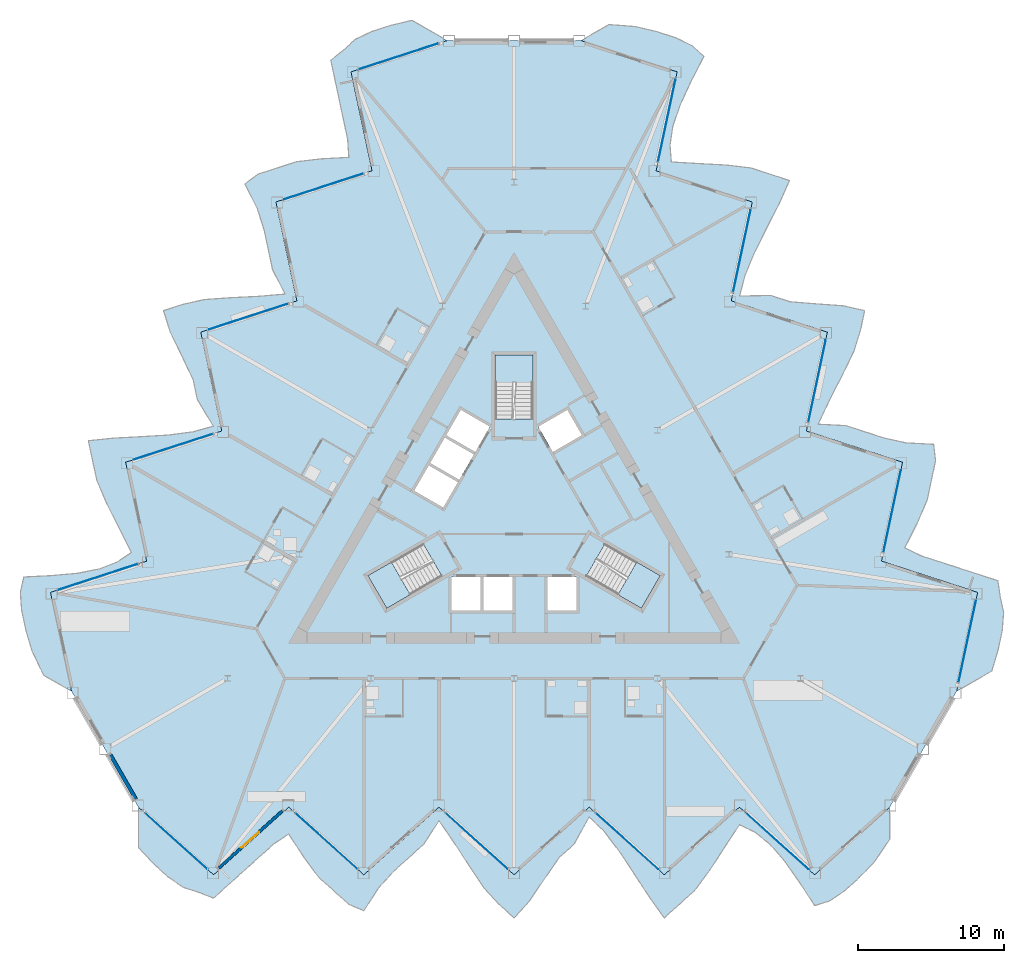
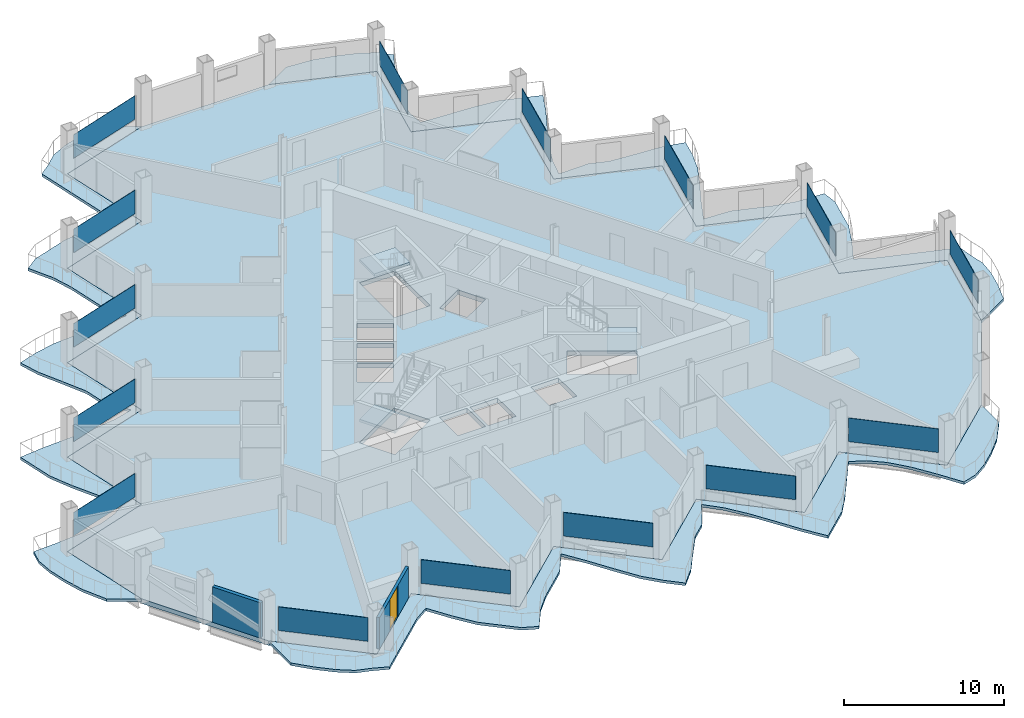
# One storey, part 10 of 23: 15 plates, 7 slabs, 2 walls, 1 door, 1 opening, 18 elements without a shape of their own.
"""IFC4 building model written with IfcOpenShell, lengths in metres."""

from ifc_helpers import new_model, si_unit, direction, frame, frame_2d, origin, origin_2d, place, context, subcontext, project, spatial, polyline, rectangle, outline, extrude, material, layer, layer_set, type_object, element, fill, aggregate, save


model = new_model("IFC4")

# Units and contexts
model_context = context("Model", 3, precision=1e-05, world=origin(), true_north=direction((0.0, 1.0)))
body_context = subcontext(model_context, "Body", "Model", "MODEL_VIEW")
ifc_project = project(units=[si_unit("LENGTHUNIT", "METRE"), si_unit("AREAUNIT", "SQUARE_METRE"), si_unit("VOLUMEUNIT", "CUBIC_METRE"), si_unit("PLANEANGLEUNIT", "RADIAN"), si_unit("MASSUNIT", "GRAM", prefix="KILO")], contexts=[model_context])

# Site, building, storey
site_placement = place(None, origin())
site = spatial("IfcSite", under=ifc_project, at=site_placement, CompositionType="ELEMENT")
building_placement = place(site_placement, origin())
building = spatial("IfcBuilding", under=site, at=building_placement, Name="Cormorant Prow Tower", CompositionType="ELEMENT")
storey_placement = place(building_placement, frame((0.0, 0.0, 208.800048828125)))
storey = spatial("IfcBuildingStorey", under=building, at=storey_placement, Name="L46", CompositionType="ELEMENT", Elevation=208.800048828125)

# Slabs
ifc_material_1 = material(Name="Concrete C40/50", Category="concrete")
ifc_layer_1 = layer(ifc_material_1, 0.199951171875)
ifc_layer_set_1 = layer_set([ifc_layer_1], Name="Concrete C40/50")
slab_type_1 = type_object("IfcSlabType", Name="Balcony slab 200", PredefinedType="FLOOR", material=ifc_layer_set_1)
slab_1_placement = place(storey_placement, frame((0.0, 0.0, -0.199951171875)))
element("IfcSlab", 1, at=slab_1_placement, inside=storey, type_object=slab_type_1, Name="Balcony slab S L46", PredefinedType="FLOOR", context=body_context, shape_type="SweptSolid", body=[
    extrude(outline(polyline([(-25.778076171875, -20.184814453125), (-25.778076171875, -22.96875), (-24.7470703125, -24.063232421875), (-23.7158203125, -24.99169921875), (-22.684814453125, -25.69580078125), (-21.653564453125, -26.018310546875), (-20.62255859375, -26.427001953125), (-19.59130859375, -25.49853515625), (-18.560302734375, -24.570068359375), (-17.529052734375, -23.641845703125), (-16.498046875, -22.71337890625), (-15.466796875, -22.023681640625), (-14.435791015625, -23.608154296875), (-13.404541015625, -24.99169921875), (-12.37353515625, -25.920166015625), (-11.34228515625, -26.8486328125), (-10.311279296875, -27.2890625), (-9.280029296875, -25.700439453125), (-8.2490234375, -24.570068359375), (-7.2177734375, -23.641845703125), (-6.186767578125, -22.71337890625), (-5.155517578125, -21.11865234375), (-4.12451171875, -22.59814453125), (-3.09326171875, -24.19775390625), (-2.062255859375, -25.723388671875), (-1.031005859375, -26.8486328125), (0.0, -27.777099609375), (1.031005859375, -26.656005859375), (2.062255859375, -25.1318359375), (3.09326171875, -23.641845703125), (4.12451171875, -22.71337890625), (5.155517578125, -20.848388671875), (6.186767578125, -21.86083984375), (7.2177734375, -23.207275390625), (8.2490234375, -24.766357421875), (9.280029296875, -26.35546875), (10.311279296875, -27.777099609375), (11.34228515625, -26.8486328125), (12.37353515625, -25.920166015625), (13.404541015625, -24.54150390625), (14.435791015625, -22.957763671875), (15.466796875, -21.39013671875), (16.498046875, -21.880615234375), (17.529052734375, -22.698974609375), (18.560302734375, -23.87744140625), (19.59130859375, -25.343505859375), (20.62255859375, -26.941162109375), (21.653564453125, -26.6201171875), (22.684814453125, -25.920166015625), (23.7158203125, -24.99169921875), (24.7470703125, -23.901123046875), (25.778076171875, -22.38818359375), (25.778076171875, -20.184814453125), (24.7470703125, -21.11328125), (23.7158203125, -22.041748046875), (22.684814453125, -22.97021484375), (21.653564453125, -23.898681640625), (20.62255859375, -24.8271484375), (19.59130859375, -23.898681640625), (18.560302734375, -22.97021484375), (17.529052734375, -22.041748046875), (16.498046875, -21.11328125), (15.466796875, -20.184814453125), (14.435791015625, -21.11328125), (13.404541015625, -22.041748046875), (12.37353515625, -22.97021484375), (11.34228515625, -23.898681640625), (10.311279296875, -24.8271484375), (9.280029296875, -23.898681640625), (8.2490234375, -22.97021484375), (7.2177734375, -22.041748046875), (6.186767578125, -21.11328125), (5.155517578125, -20.184814453125), (4.12451171875, -21.11328125), (3.09326171875, -22.041748046875), (2.062255859375, -22.97021484375), (1.031005859375, -23.898681640625), (0.0, -24.8271484375), (-1.031005859375, -23.898681640625), (-2.062255859375, -22.97021484375), (-3.09326171875, -22.041748046875), (-4.12451171875, -21.11328125), (-5.155517578125, -20.184814453125), (-6.186767578125, -21.11328125), (-7.2177734375, -22.041748046875), (-8.2490234375, -22.97021484375), (-9.280029296875, -23.898681640625), (-10.311279296875, -24.8271484375), (-11.34228515625, -23.898681640625), (-12.37353515625, -22.97021484375), (-13.404541015625, -22.041748046875), (-14.435791015625, -21.11328125), (-15.466796875, -20.184814453125), (-16.498046875, -21.11328125), (-17.529052734375, -22.041748046875), (-18.560302734375, -22.97021484375), (-19.59130859375, -23.898681640625), (-20.62255859375, -24.8271484375), (-21.653564453125, -23.898681640625), (-22.684814453125, -22.97021484375), (-23.7158203125, -22.041748046875), (-24.7470703125, -21.11328125), (-25.778076171875, -20.184814453125)])), origin(), (0.0, 0.0, 1.0), 0.199951171875),
])
slab_2_placement = place(storey_placement, frame((0.0, 0.0, -0.199951171875)))
element("IfcSlab", 2, at=slab_2_placement, inside=storey, type_object=slab_type_1, Name="Balcony slab ENE L46", PredefinedType="FLOOR", context=body_context, shape_type="SweptSolid", body=[
    extrude(outline(polyline([(30.36962890625, -12.232177734375), (32.780517578125, -10.840087890625), (33.212890625, -9.39990234375), (33.50146484375, -8.042724609375), (33.595703125, -6.797607421875), (33.359375, -5.743408203125), (33.19775390625, -4.64599609375), (31.878173828125, -4.21728515625), (30.55859375, -3.78857421875), (29.239013671875, -3.35986328125), (27.91943359375, -2.93115234375), (26.806396484375, -2.3828125), (27.6630859375, -0.69775390625), (28.345703125, 0.88720703125), (28.63427734375, 2.244384765625), (28.9228515625, 3.6015625), (28.78857421875, 4.714599609375), (26.897216796875, 4.8134765625), (25.40283203125, 5.141357421875), (24.083251953125, 5.570068359375), (22.763671875, 5.998779296875), (20.8671875, 6.094482421875), (21.6328125, 7.72705078125), (22.502685546875, 9.419921875), (23.30810546875, 11.07568359375), (23.76708984375, 12.53125), (24.0556640625, 13.888427734375), (22.569091796875, 14.220947265625), (20.733642578125, 14.351806640625), (18.927734375, 14.499755859375), (17.608154296875, 14.9287109375), (15.4775390625, 14.88916015625), (15.8388671875, 16.288330078125), (16.489013671875, 17.8544921875), (17.32373046875, 19.527099609375), (18.184326171875, 21.214599609375), (18.89990234375, 22.818359375), (17.580322265625, 23.2470703125), (16.2607421875, 23.67578125), (14.55126953125, 23.879638671875), (12.6640625, 23.980712890625), (10.791015625, 24.08984375), (10.7001953125, 25.22802734375), (10.893310546875, 26.5302734375), (11.3984375, 28.012451171875), (12.15234375, 29.638427734375), (13.0205078125, 31.330322265625), (12.226806640625, 32.062744140625), (11.105224609375, 32.605712890625), (9.78564453125, 33.034423828125), (8.325439453125, 33.382080078125), (6.499755859375, 33.5185546875), (4.591552734375, 32.4169921875), (5.9111328125, 31.98828125), (7.230712890625, 31.5595703125), (8.55029296875, 31.130615234375), (9.869873046875, 30.701904296875), (11.189697265625, 30.273193359375), (10.901123046875, 28.916015625), (10.612548828125, 27.558837890625), (10.32421875, 26.20166015625), (10.03564453125, 24.844482421875), (9.7470703125, 23.487060546875), (11.06689453125, 23.058349609375), (12.386474609375, 22.629638671875), (13.7060546875, 22.200927734375), (15.025634765625, 21.772216796875), (16.34521484375, 21.34326171875), (16.056640625, 19.986083984375), (15.768310546875, 18.62890625), (15.479736328125, 17.271728515625), (15.19140625, 15.91455078125), (14.90283203125, 14.557373046875), (16.222412109375, 14.128662109375), (17.5419921875, 13.69970703125), (18.861572265625, 13.27099609375), (20.18115234375, 12.84228515625), (21.5009765625, 12.41357421875), (21.21240234375, 11.056396484375), (20.923828125, 9.69921875), (20.635498046875, 8.342041015625), (20.346923828125, 6.984619140625), (20.058349609375, 5.62744140625), (21.378173828125, 5.19873046875), (22.69775390625, 4.77001953125), (24.017333984375, 4.34130859375), (25.3369140625, 3.912353515625), (26.656494140625, 3.483642578125), (26.367919921875, 2.12646484375), (26.07958984375, 0.769287109375), (25.791015625, -0.587890625), (25.502685546875, -1.945068359375), (25.214111328125, -3.30224609375), (26.53369140625, -3.73095703125), (27.853271484375, -4.159912109375), (29.1728515625, -4.588623046875), (30.492431640625, -5.017333984375), (31.81201171875, -5.446044921875), (31.523681640625, -6.80322265625), (31.235107421875, -8.160400390625), (30.94677734375, -9.517822265625), (30.658203125, -10.875), (30.36962890625, -12.232177734375)])), origin(), (0.0, 0.0, 1.0), 0.199951171875),
])
slab_3_placement = place(storey_placement, frame((0.0, 0.0, -0.199951171875)))
element("IfcSlab", 3, at=slab_3_placement, inside=storey, type_object=slab_type_1, Name="Balcony slab WNW L46", PredefinedType="FLOOR", context=body_context, shape_type="SweptSolid", body=[
    extrude(outline(polyline([(-4.591552734375, 32.4169921875), (-7.00244140625, 33.808837890625), (-8.4658203125, 33.463134765625), (-9.78564453125, 33.034423828125), (-10.910888671875, 32.49365234375), (-11.705810546875, 31.76171875), (-12.5751953125, 31.0732421875), (-12.286865234375, 29.716064453125), (-11.998291015625, 28.35888671875), (-11.709716796875, 27.00146484375), (-11.42138671875, 25.644287109375), (-11.339599609375, 24.406494140625), (-13.227294921875, 24.3056640625), (-14.941162109375, 24.104736328125), (-16.2607421875, 23.67578125), (-17.580322265625, 23.2470703125), (-18.477294921875, 22.57421875), (-17.6171875, 20.886962890625), (-17.15380859375, 19.428955078125), (-16.865478515625, 18.07177734375), (-16.576904296875, 16.714599609375), (-15.711669921875, 15.024169921875), (-17.50830078125, 14.87109375), (-19.4091796875, 14.77783203125), (-21.245849609375, 14.647705078125), (-22.736083984375, 14.3173828125), (-24.0556640625, 13.888427734375), (-23.600341796875, 12.43505859375), (-22.7958984375, 10.780029296875), (-22.02099609375, 9.141845703125), (-21.732666015625, 7.78466796875), (-20.633056640625, 5.959228515625), (-22.025634765625, 5.572509765625), (-23.70703125, 5.352783203125), (-25.57275390625, 5.2392578125), (-27.464599609375, 5.140869140625), (-29.211181640625, 4.958740234375), (-28.9228515625, 3.6015625), (-28.63427734375, 2.244384765625), (-27.955810546875, 0.662109375), (-27.099853515625, -1.02294921875), (-26.2578125, -2.69970703125), (-27.1982421875, -3.347412109375), (-28.422607421875, -3.8310546875), (-29.958740234375, -4.135009765625), (-31.74365234375, -4.294921875), (-33.64306640625, -4.38916015625), (-33.88037109375, -5.442626953125), (-33.7900390625, -6.685546875), (-33.50146484375, -8.042724609375), (-33.072509765625, -9.48095703125), (-32.27783203125, -11.13037109375), (-30.36962890625, -12.232177734375), (-30.658203125, -10.875), (-30.94677734375, -9.517822265625), (-31.235107421875, -8.160400390625), (-31.523681640625, -6.80322265625), (-31.81201171875, -5.446044921875), (-30.492431640625, -5.017333984375), (-29.1728515625, -4.588623046875), (-27.853271484375, -4.159912109375), (-26.53369140625, -3.73095703125), (-25.214111328125, -3.30224609375), (-25.502685546875, -1.945068359375), (-25.791015625, -0.587890625), (-26.07958984375, 0.769287109375), (-26.367919921875, 2.12646484375), (-26.656494140625, 3.483642578125), (-25.3369140625, 3.912353515625), (-24.017333984375, 4.34130859375), (-22.69775390625, 4.77001953125), (-21.378173828125, 5.19873046875), (-20.058349609375, 5.62744140625), (-20.346923828125, 6.984619140625), (-20.635498046875, 8.342041015625), (-20.923828125, 9.69921875), (-21.21240234375, 11.056396484375), (-21.5009765625, 12.41357421875), (-20.18115234375, 12.84228515625), (-18.861572265625, 13.27099609375), (-17.5419921875, 13.69970703125), (-16.222412109375, 14.128662109375), (-14.90283203125, 14.557373046875), (-15.19140625, 15.91455078125), (-15.479736328125, 17.271728515625), (-15.768310546875, 18.62890625), (-16.056640625, 19.986083984375), (-16.34521484375, 21.34326171875), (-15.025634765625, 21.772216796875), (-13.7060546875, 22.200927734375), (-12.386474609375, 22.629638671875), (-11.06689453125, 23.058349609375), (-9.7470703125, 23.487060546875), (-10.03564453125, 24.844482421875), (-10.32421875, 26.20166015625), (-10.612548828125, 27.558837890625), (-10.901123046875, 28.916015625), (-11.189697265625, 30.273193359375), (-9.869873046875, 30.701904296875), (-8.55029296875, 31.130615234375), (-7.230712890625, 31.5595703125), (-5.9111328125, 31.98828125), (-4.591552734375, 32.4169921875)])), origin(), (0.0, 0.0, 1.0), 0.199951171875),
])

# Curtain wall, plate
ifc_material_2 = material(Name="Aluminium 6063-T6", Category="aluminium")
ifc_layer_2 = layer(ifc_material_2, 0.179931640625)
ifc_layer_set_2 = layer_set([ifc_layer_2], Name="Aluminium 6063-T6")
curtain_wall_type = type_object("IfcCurtainWallType", Name="Hotel unitised curtain wall 180", PredefinedType="NOTDEFINED", material=ifc_layer_set_2)
curtain_wall_1_placement = place(storey_placement, origin())
curtain_wall_1 = element("IfcCurtainWall", 4, at=curtain_wall_1_placement, inside=storey, type_object=curtain_wall_type, Name="Hotel curtain wall S00", PredefinedType="NOTDEFINED")
ifc_material_3 = material(Name="Clear glass", Category="glass")
ifc_layer_3 = layer(ifc_material_3, 0.028076171875)
ifc_layer_set_3 = layer_set([ifc_layer_3], Name="Clear glass")
plate_type = type_object("IfcPlateType", Name="Hotel glass panel 28", PredefinedType="CURTAIN_PANEL", material=ifc_layer_set_3)
plate_1_placement = place(storey_placement, frame((-23.177978515625, -22.526123046875, 0.89990234375), z_axis=(0.0, 0.0, 1.0), x_axis=(0.743144739757, -0.669130701561, 0.0)))
plate_1 = element("IfcPlate", 5, at=plate_1_placement, type_object=plate_type, Name="Hotel glass panel S00", PredefinedType="CURTAIN_PANEL", context=body_context, shape_type="SweptSolid", body=[
    extrude(rectangle(XDim=5.74169921875, YDim=0.028076171875, at=origin_2d()), origin(), (0.0, 0.0, 1.0), 1.80078125),
])
aggregate(curtain_wall_1, [plate_1])

curtain_wall_2_placement = place(storey_placement, origin())
curtain_wall_2 = element("IfcCurtainWall", 6, at=curtain_wall_2_placement, inside=storey, type_object=curtain_wall_type, Name="Hotel curtain wall S02", PredefinedType="NOTDEFINED")
plate_2_placement = place(storey_placement, frame((-12.86669921875, -22.526123046875, 0.89990234375), z_axis=(0.0, 0.0, 1.0), x_axis=(0.743144804304, -0.669130629874, 0.0)))
plate_2 = element("IfcPlate", 7, at=plate_2_placement, type_object=plate_type, Name="Hotel glass panel S02", PredefinedType="CURTAIN_PANEL", context=body_context, shape_type="SweptSolid", body=[
    extrude(rectangle(XDim=5.74169921875, YDim=0.028076171875, at=origin_2d()), origin(), (0.0, 0.0, 1.0), 1.80078125),
])
aggregate(curtain_wall_2, [plate_2])

curtain_wall_3_placement = place(storey_placement, origin())
curtain_wall_3 = element("IfcCurtainWall", 8, at=curtain_wall_3_placement, inside=storey, type_object=curtain_wall_type, Name="Hotel curtain wall S04", PredefinedType="NOTDEFINED")
plate_3_placement = place(storey_placement, frame((-2.555419921875, -22.526123046875, 0.89990234375), z_axis=(0.0, 0.0, 1.0), x_axis=(0.743144804304, -0.669130629874, 0.0)))
plate_3 = element("IfcPlate", 9, at=plate_3_placement, type_object=plate_type, Name="Hotel glass panel S04", PredefinedType="CURTAIN_PANEL", context=body_context, shape_type="SweptSolid", body=[
    extrude(rectangle(XDim=5.74169921875, YDim=0.028076171875, at=origin_2d()), origin(), (0.0, 0.0, 1.0), 1.80078125),
])
aggregate(curtain_wall_3, [plate_3])

curtain_wall_4_placement = place(storey_placement, origin())
curtain_wall_4 = element("IfcCurtainWall", 10, at=curtain_wall_4_placement, inside=storey, type_object=curtain_wall_type, Name="Hotel curtain wall S06", PredefinedType="NOTDEFINED")
plate_4_placement = place(storey_placement, frame((7.755859375, -22.526123046875, 0.89990234375), z_axis=(0.0, 0.0, 1.0), x_axis=(0.743144739757, -0.669130701561, 0.0)))
plate_4 = element("IfcPlate", 11, at=plate_4_placement, type_object=plate_type, Name="Hotel glass panel S06", PredefinedType="CURTAIN_PANEL", context=body_context, shape_type="SweptSolid", body=[
    extrude(rectangle(XDim=5.74169921875, YDim=0.028076171875, at=origin_2d()), origin(), (0.0, 0.0, 1.0), 1.80078125),
])
aggregate(curtain_wall_4, [plate_4])

curtain_wall_5_placement = place(storey_placement, origin())
curtain_wall_5 = element("IfcCurtainWall", 12, at=curtain_wall_5_placement, inside=storey, type_object=curtain_wall_type, Name="Hotel curtain wall S08", PredefinedType="NOTDEFINED")
plate_5_placement = place(storey_placement, frame((18.06689453125, -22.526123046875, 0.89990234375), z_axis=(0.0, 0.0, 1.0), x_axis=(0.743144804304, -0.669130629874, 0.0)))
plate_5 = element("IfcPlate", 13, at=plate_5_placement, type_object=plate_type, Name="Hotel glass panel S08", PredefinedType="CURTAIN_PANEL", context=body_context, shape_type="SweptSolid", body=[
    extrude(rectangle(XDim=5.74169921875, YDim=0.028076171875, at=origin_2d()), origin(), (0.0, 0.0, 1.0), 1.80078125),
])
aggregate(curtain_wall_5, [plate_5])

curtain_wall_6_placement = place(storey_placement, origin())
curtain_wall_6 = element("IfcCurtainWall", 14, at=curtain_wall_6_placement, inside=storey, type_object=curtain_wall_type, Name="Hotel curtain wall ENE00", PredefinedType="NOTDEFINED")
plate_6_placement = place(storey_placement, frame((31.09716796875, -8.809814453125, 0.89990234375), z_axis=(0.0, 0.0, 1.0), x_axis=(0.20791171127, 0.978147596387, 0.0)))
plate_6 = element("IfcPlate", 15, at=plate_6_placement, type_object=plate_type, Name="Hotel glass panel ENE00", PredefinedType="CURTAIN_PANEL", context=body_context, shape_type="SweptSolid", body=[
    extrude(rectangle(XDim=5.74169921875, YDim=0.028076171875, at=origin_2d()), origin(), (0.0, 0.0, 1.0), 1.80078125),
])
aggregate(curtain_wall_6, [plate_6])

curtain_wall_7_placement = place(storey_placement, origin())
curtain_wall_7 = element("IfcCurtainWall", 16, at=curtain_wall_7_placement, inside=storey, type_object=curtain_wall_type, Name="Hotel curtain wall ENE02", PredefinedType="NOTDEFINED")
plate_7_placement = place(storey_placement, frame((25.94140625, 0.1201171875, 0.89990234375), z_axis=(0.0, 0.0, 1.0), x_axis=(0.207911681957, 0.978147602617, 0.0)))
plate_7 = element("IfcPlate", 17, at=plate_7_placement, type_object=plate_type, Name="Hotel glass panel ENE02", PredefinedType="CURTAIN_PANEL", context=body_context, shape_type="SweptSolid", body=[
    extrude(rectangle(XDim=5.74169921875, YDim=0.028076171875, at=origin_2d()), origin(), (0.0, 0.0, 1.0), 1.80078125),
])
aggregate(curtain_wall_7, [plate_7])

curtain_wall_8_placement = place(storey_placement, origin())
curtain_wall_8 = element("IfcCurtainWall", 18, at=curtain_wall_8_placement, inside=storey, type_object=curtain_wall_type, Name="Hotel curtain wall ENE04", PredefinedType="NOTDEFINED")
plate_8_placement = place(storey_placement, frame((20.785888671875, 9.0498046875, 0.89990234375), z_axis=(0.0, 0.0, 1.0), x_axis=(0.20791171127, 0.978147596387, 0.0)))
plate_8 = element("IfcPlate", 19, at=plate_8_placement, type_object=plate_type, Name="Hotel glass panel ENE04", PredefinedType="CURTAIN_PANEL", context=body_context, shape_type="SweptSolid", body=[
    extrude(rectangle(XDim=5.74169921875, YDim=0.028076171875, at=origin_2d()), origin(), (0.0, 0.0, 1.0), 1.80078125),
])
aggregate(curtain_wall_8, [plate_8])

curtain_wall_9_placement = place(storey_placement, origin())
curtain_wall_9 = element("IfcCurtainWall", 20, at=curtain_wall_9_placement, inside=storey, type_object=curtain_wall_type, Name="Hotel curtain wall ENE06", PredefinedType="NOTDEFINED")
plate_9_placement = place(storey_placement, frame((15.63037109375, 17.979736328125, 0.89990234375), z_axis=(0.0, 0.0, 1.0), x_axis=(0.207911681957, 0.978147602617, 0.0)))
plate_9 = element("IfcPlate", 21, at=plate_9_placement, type_object=plate_type, Name="Hotel glass panel ENE06", PredefinedType="CURTAIN_PANEL", context=body_context, shape_type="SweptSolid", body=[
    extrude(rectangle(XDim=5.74169921875, YDim=0.028076171875, at=origin_2d()), origin(), (0.0, 0.0, 1.0), 1.80078125),
])
aggregate(curtain_wall_9, [plate_9])

curtain_wall_10_placement = place(storey_placement, origin())
curtain_wall_10 = element("IfcCurtainWall", 22, at=curtain_wall_10_placement, inside=storey, type_object=curtain_wall_type, Name="Hotel curtain wall ENE08", PredefinedType="NOTDEFINED")
plate_10_placement = place(storey_placement, frame((10.474609375, 26.909423828125, 0.89990234375), z_axis=(0.0, 0.0, 1.0), x_axis=(0.20791171127, 0.978147596387, 0.0)))
plate_10 = element("IfcPlate", 23, at=plate_10_placement, type_object=plate_type, Name="Hotel glass panel ENE08", PredefinedType="CURTAIN_PANEL", context=body_context, shape_type="SweptSolid", body=[
    extrude(rectangle(XDim=5.74169921875, YDim=0.028076171875, at=origin_2d()), origin(), (0.0, 0.0, 1.0), 1.80078125),
])
aggregate(curtain_wall_10, [plate_10])

curtain_wall_11_placement = place(storey_placement, origin())
curtain_wall_11 = element("IfcCurtainWall", 24, at=curtain_wall_11_placement, inside=storey, type_object=curtain_wall_type, Name="Hotel curtain wall WNW00", PredefinedType="NOTDEFINED")
plate_11_placement = place(storey_placement, frame((-7.919189453125, 31.335693359375, 0.89990234375), z_axis=(0.0, 0.0, 1.0), x_axis=(-0.951056508993, -0.30901701685, 0.0)))
plate_11 = element("IfcPlate", 25, at=plate_11_placement, type_object=plate_type, Name="Hotel glass panel WNW00", PredefinedType="CURTAIN_PANEL", context=body_context, shape_type="SweptSolid", body=[
    extrude(rectangle(XDim=5.74169921875, YDim=0.028076171875, at=origin_2d()), origin(), (0.0, 0.0, 1.0), 1.80078125),
])
aggregate(curtain_wall_11, [plate_11])

curtain_wall_12_placement = place(storey_placement, origin())
curtain_wall_12 = element("IfcCurtainWall", 26, at=curtain_wall_12_placement, inside=storey, type_object=curtain_wall_type, Name="Hotel curtain wall WNW02", PredefinedType="NOTDEFINED")
plate_12_placement = place(storey_placement, frame((-13.07470703125, 22.406005859375, 0.89990234375), z_axis=(0.0, 0.0, 1.0), x_axis=(-0.951056522756, -0.309016974489, 0.0)))
plate_12 = element("IfcPlate", 27, at=plate_12_placement, type_object=plate_type, Name="Hotel glass panel WNW02", PredefinedType="CURTAIN_PANEL", context=body_context, shape_type="SweptSolid", body=[
    extrude(rectangle(XDim=5.74169921875, YDim=0.028076171875, at=origin_2d()), origin(), (0.0, 0.0, 1.0), 1.80078125),
])
aggregate(curtain_wall_12, [plate_12])

curtain_wall_13_placement = place(storey_placement, origin())
curtain_wall_13 = element("IfcCurtainWall", 28, at=curtain_wall_13_placement, inside=storey, type_object=curtain_wall_type, Name="Hotel curtain wall WNW04", PredefinedType="NOTDEFINED")
plate_13_placement = place(storey_placement, frame((-18.23046875, 13.47607421875, 0.89990234375), z_axis=(0.0, 0.0, 1.0), x_axis=(-0.951056522756, -0.309016974489, 0.0)))
plate_13 = element("IfcPlate", 29, at=plate_13_placement, type_object=plate_type, Name="Hotel glass panel WNW04", PredefinedType="CURTAIN_PANEL", context=body_context, shape_type="SweptSolid", body=[
    extrude(rectangle(XDim=5.74169921875, YDim=0.028076171875, at=origin_2d()), origin(), (0.0, 0.0, 1.0), 1.80078125),
])
aggregate(curtain_wall_13, [plate_13])

curtain_wall_14_placement = place(storey_placement, origin())
curtain_wall_14 = element("IfcCurtainWall", 30, at=curtain_wall_14_placement, inside=storey, type_object=curtain_wall_type, Name="Hotel curtain wall WNW06", PredefinedType="NOTDEFINED")
plate_14_placement = place(storey_placement, frame((-23.385986328125, 4.54638671875, 0.89990234375), z_axis=(0.0, 0.0, 1.0), x_axis=(-0.951056508993, -0.30901701685, 0.0)))
plate_14 = element("IfcPlate", 31, at=plate_14_placement, type_object=plate_type, Name="Hotel glass panel WNW06", PredefinedType="CURTAIN_PANEL", context=body_context, shape_type="SweptSolid", body=[
    extrude(rectangle(XDim=5.74169921875, YDim=0.028076171875, at=origin_2d()), origin(), (0.0, 0.0, 1.0), 1.80078125),
])
aggregate(curtain_wall_14, [plate_14])

curtain_wall_15_placement = place(storey_placement, origin())
curtain_wall_15 = element("IfcCurtainWall", 32, at=curtain_wall_15_placement, inside=storey, type_object=curtain_wall_type, Name="Hotel curtain wall WNW08", PredefinedType="NOTDEFINED")
plate_15_placement = place(storey_placement, frame((-28.541748046875, -4.383544921875, 0.89990234375), z_axis=(0.0, 0.0, 1.0), x_axis=(-0.951056522756, -0.309016974489, 0.0)))
plate_15 = element("IfcPlate", 33, at=plate_15_placement, type_object=plate_type, Name="Hotel glass panel WNW08", PredefinedType="CURTAIN_PANEL", context=body_context, shape_type="SweptSolid", body=[
    extrude(rectangle(XDim=5.74169921875, YDim=0.028076171875, at=origin_2d()), origin(), (0.0, 0.0, 1.0), 1.80078125),
])
aggregate(curtain_wall_15, [plate_15])

# Slab
ifc_material_4 = material(Name="Concrete C40/50", Category="concrete")
ifc_layer_4 = layer(ifc_material_4, 0.35009765625)
ifc_layer_set_4 = layer_set([ifc_layer_4], Name="Concrete C40/50")
slab_type_2 = type_object("IfcSlabType", Name="Post-tensioned flat slab 350", PredefinedType="FLOOR", material=ifc_layer_set_4)
slab_4_placement = place(storey_placement, frame((0.0, 0.0, -0.35009765625)))
element("IfcSlab", 34, at=slab_4_placement, inside=storey, type_object=slab_type_2, Name="Floor slab L46", PredefinedType="FLOOR", context=body_context, shape_type="SweptSolid", body=[
    extrude(outline(polyline([(-9.7470703125, 23.487060546875), (-16.34521484375, 21.34326171875), (-14.90283203125, 14.557373046875), (-21.5009765625, 12.41357421875), (-20.058349609375, 5.62744140625), (-26.656494140625, 3.483642578125), (-25.214111328125, -3.30224609375), (-31.81201171875, -5.446044921875), (-30.36962890625, -12.232177734375), (-28.073974609375, -16.20849609375), (-25.778076171875, -20.184814453125), (-20.62255859375, -24.8271484375), (-15.466796875, -20.184814453125), (-10.311279296875, -24.8271484375), (-5.155517578125, -20.184814453125), (0.0, -24.8271484375), (5.155517578125, -20.184814453125), (10.311279296875, -24.8271484375), (15.466796875, -20.184814453125), (20.62255859375, -24.8271484375), (25.778076171875, -20.184814453125), (28.073974609375, -16.20849609375), (30.36962890625, -12.232177734375), (31.81201171875, -5.446044921875), (25.214111328125, -3.30224609375), (26.656494140625, 3.483642578125), (20.058349609375, 5.62744140625), (21.5009765625, 12.41357421875), (14.90283203125, 14.557373046875), (16.34521484375, 21.34326171875), (9.7470703125, 23.487060546875), (11.189697265625, 30.273193359375), (4.591552734375, 32.4169921875), (0.0, 32.4169921875), (-4.591552734375, 32.4169921875), (-11.189697265625, 30.273193359375), (-9.7470703125, 23.487060546875)]), holes=[polyline([(-4.300048828125, -4.39990234375), (-2.300048828125, -4.39990234375), (-2.300048828125, -6.699951171875), (-4.300048828125, -6.699951171875), (-4.300048828125, -4.39990234375)]), polyline([(-0.10009765625, -4.39990234375), (-0.10009765625, -6.699951171875), (-2.10009765625, -6.699951171875), (-2.10009765625, -4.39990234375), (-0.10009765625, -4.39990234375)]), polyline([(4.300048828125, -6.699951171875), (2.300048828125, -6.699951171875), (2.300048828125, -4.39990234375), (4.300048828125, -4.39990234375), (4.300048828125, -6.699951171875)]), polyline([(4.65234375, 5.341796875), (2.660400390625, 4.19189453125), (1.660400390625, 5.923828125), (3.65234375, 7.073974609375), (4.65234375, 5.341796875)]), polyline([(-1.660400390625, 5.923828125), (-2.660400390625, 4.19189453125), (-4.65234375, 5.341796875), (-3.65234375, 7.073974609375), (-1.660400390625, 5.923828125)]), polyline([(-3.760498046875, 2.28662109375), (-5.75244140625, 3.4365234375), (-4.75244140625, 5.168701171875), (-2.760498046875, 4.018798828125), (-3.760498046875, 2.28662109375)]), polyline([(-6.852294921875, 1.53125), (-5.852294921875, 3.263427734375), (-3.860595703125, 2.11328125), (-4.860595703125, 0.38134765625), (-6.852294921875, 1.53125)]), polyline([(-4.947509765625, -4.3505859375), (-8.738037109375, -6.5390625), (-10.031982421875, -4.2978515625), (-6.241455078125, -2.109375), (-4.947509765625, -4.3505859375)]), polyline([(10.031982421875, -4.2978515625), (8.738037109375, -6.5390625), (4.947509765625, -4.3505859375), (6.241455078125, -2.109375), (10.031982421875, -4.2978515625)]), polyline([(1.2939453125, 10.8369140625), (1.2939453125, 6.459716796875), (-1.2939453125, 6.459716796875), (-1.2939453125, 10.8369140625), (1.2939453125, 10.8369140625)])]), origin(), (0.0, 0.0, 1.0), 0.35009765625),
])

# Stair, slab
ifc_material_5 = material(Name="Exit stair 20 risers")
stair_type = type_object("IfcStairType", Name="Exit stair 20 risers", PredefinedType="HALF_TURN_STAIR", material=ifc_material_5)
stair_1_placement = place(storey_placement, origin())
stair_1 = element("IfcStair", 35, at=stair_1_placement, inside=storey, type_object=stair_type, Name="L46 Exit stair ST1", PredefinedType="HALF_TURN_STAIR")
ifc_material_6 = material(Name="Concrete 5000 psi", Category="concrete")
ifc_layer_5 = layer(ifc_material_6, 0.199951171875)
ifc_layer_set_5 = layer_set([ifc_layer_5], Name="Concrete 5000 psi")
slab_type_3 = type_object("IfcSlabType", Name="Stair landing 200", PredefinedType="LANDING", material=ifc_layer_set_5)
slab_5_placement = place(storey_placement, frame((0.0, 0.0, 1.599853515625)))
slab_5 = element("IfcSlab", 36, at=slab_5_placement, type_object=slab_type_3, Name="ST1 landing 1", PredefinedType="LANDING", context=body_context, shape_type="SweptSolid", body=[
    extrude(outline(polyline([(-8.416748046875, -3.365234375), (-10.031982421875, -4.2978515625), (-8.738037109375, -6.5390625), (-7.122802734375, -5.6064453125), (-8.416748046875, -3.365234375)])), origin(), (0.0, 0.0, 1.0), 0.2001953125),
])
aggregate(stair_1, [slab_5])

stair_2_placement = place(storey_placement, origin())
stair_2 = element("IfcStair", 37, at=stair_2_placement, inside=storey, type_object=stair_type, Name="L46 Exit stair ST2", PredefinedType="HALF_TURN_STAIR")
slab_6_placement = place(storey_placement, frame((0.0, 0.0, 1.599853515625)))
slab_6 = element("IfcSlab", 38, at=slab_6_placement, type_object=slab_type_3, Name="ST2 landing 1", PredefinedType="LANDING", context=body_context, shape_type="SweptSolid", body=[
    extrude(outline(polyline([(7.122802734375, -5.6064453125), (8.738037109375, -6.5390625), (10.031982421875, -4.2978515625), (8.416748046875, -3.365234375), (7.122802734375, -5.6064453125)])), origin(), (0.0, 0.0, 1.0), 0.2001953125),
])
aggregate(stair_2, [slab_6])

stair_3_placement = place(storey_placement, origin())
stair_3 = element("IfcStair", 39, at=stair_3_placement, inside=storey, type_object=stair_type, Name="L46 Exit stair ST3", PredefinedType="HALF_TURN_STAIR")
slab_7_placement = place(storey_placement, frame((0.0, 0.0, 1.599853515625)))
slab_7 = element("IfcSlab", 40, at=slab_7_placement, type_object=slab_type_3, Name="ST3 landing 1", PredefinedType="LANDING", context=body_context, shape_type="SweptSolid", body=[
    extrude(outline(polyline([(1.2939453125, 8.971923828125), (1.2939453125, 10.8369140625), (-1.2939453125, 10.8369140625), (-1.2939453125, 8.971923828125), (1.2939453125, 8.971923828125)])), origin(), (0.0, 0.0, 1.0), 0.2001953125),
])
aggregate(stair_3, [slab_7])

# Wall
ifc_material_7 = material(Name="Terracotta", Category="masonry")
ifc_layer_6 = layer(ifc_material_7, 0.25)
ifc_layer_set_6 = layer_set([ifc_layer_6], Name="Terracotta")
wall_type_1 = type_object("IfcWallType", Name="Terracotta bay wall 250", PredefinedType="SOLIDWALL", material=ifc_layer_set_6)
wall_1_placement = place(storey_placement, frame((-27.7021484375, -16.6025390625, 0.0), z_axis=(0.0, 0.0, 1.0), x_axis=(0.500006525586, -0.866021636203, 0.0)))
element("IfcWall", 41, at=wall_1_placement, inside=storey, type_object=wall_type_1, Name="Terracotta bay wall WSW01", PredefinedType="SOLIDWALL", context=body_context, shape_type="SweptSolid", body=[
    extrude(rectangle(XDim=3.49658203125, YDim=0.25, at=frame_2d((1.748291015625, 0.0))), origin(), (0.0, 0.0, 1.0), 2.700927734375),
])

# Wall, opening, door
ifc_material_8 = material(Name="Terracotta", Category="masonry")
ifc_layer_7 = layer(ifc_material_8, 0.199951171875)
ifc_layer_set_7 = layer_set([ifc_layer_7], Name="Terracotta")
wall_type_2 = type_object("IfcWallType", Name="Terracotta jamb wall 200", PredefinedType="SOLIDWALL", material=ifc_layer_set_7)
wall_2_placement = place(storey_placement, frame((-20.267333984375, -24.37255859375, 0.0), z_axis=(0.0, 0.0, 1.0), x_axis=(0.743163950832, 0.669109364891, 0.0)))
wall_2 = element("IfcWall", 42, at=wall_2_placement, inside=storey, type_object=wall_type_2, Name="Terracotta jamb wall S01", PredefinedType="SOLIDWALL", context=body_context, shape_type="SweptSolid", body=[
    extrude(rectangle(XDim=5.874755859375, YDim=0.199951171875, at=frame_2d((2.9375, 0.0))), origin(), (0.0, 0.0, 1.0), 2.404052734375),
])
opening_placement = place(wall_2_placement, frame((2.100830078125, 0.0, 0.0)))
opening = element("IfcOpeningElement", 43, at=opening_placement, cuts=wall_2, Name="Opening ED46.01", PredefinedType="OPENING", context=body_context, shape_type="SweptSolid", body=[
    extrude(rectangle(XDim=1.60009765625, YDim=2.39990234375, at=frame_2d((0.800048828125, 1.199951171875))), frame((0.0, 0.10986328125, 0.0), z_axis=(0.0, -1.0, 0.0), x_axis=(1.0, 0.0, 0.0)), (0.0, 0.0, 1.0), 0.219970703125),
])
ifc_material_9 = material(Name="Aluminium 6063-T6", Category="aluminium")
door_type = type_object("IfcDoorType", Name="Balcony door 1600x2400", OperationType="DOUBLE_DOOR_SINGLE_SWING", PredefinedType="DOOR", material=ifc_material_9)
door_placement = place(opening_placement, origin())
door = element("IfcDoor", 44, at=door_placement, inside=storey, type_object=door_type, Name="Balcony door S01 ED46.01", OperationType="DOUBLE_DOOR_SINGLE_SWING", OverallHeight=2.39990234375, OverallWidth=1.60009765625, PredefinedType="DOOR", context=body_context, shape_type="SweptSolid", body=[
    extrude(rectangle(XDim=1.60009765625, YDim=2.39990234375, at=frame_2d((0.800048828125, 1.199951171875))), frame((0.0, 0.02490234375, 0.0), z_axis=(0.0, -1.0, 0.0), x_axis=(1.0, 0.0, 0.0)), (0.0, 0.0, 1.0), 0.050048828125),
])
fill(opening, door)

save(model, "model.ifc")
